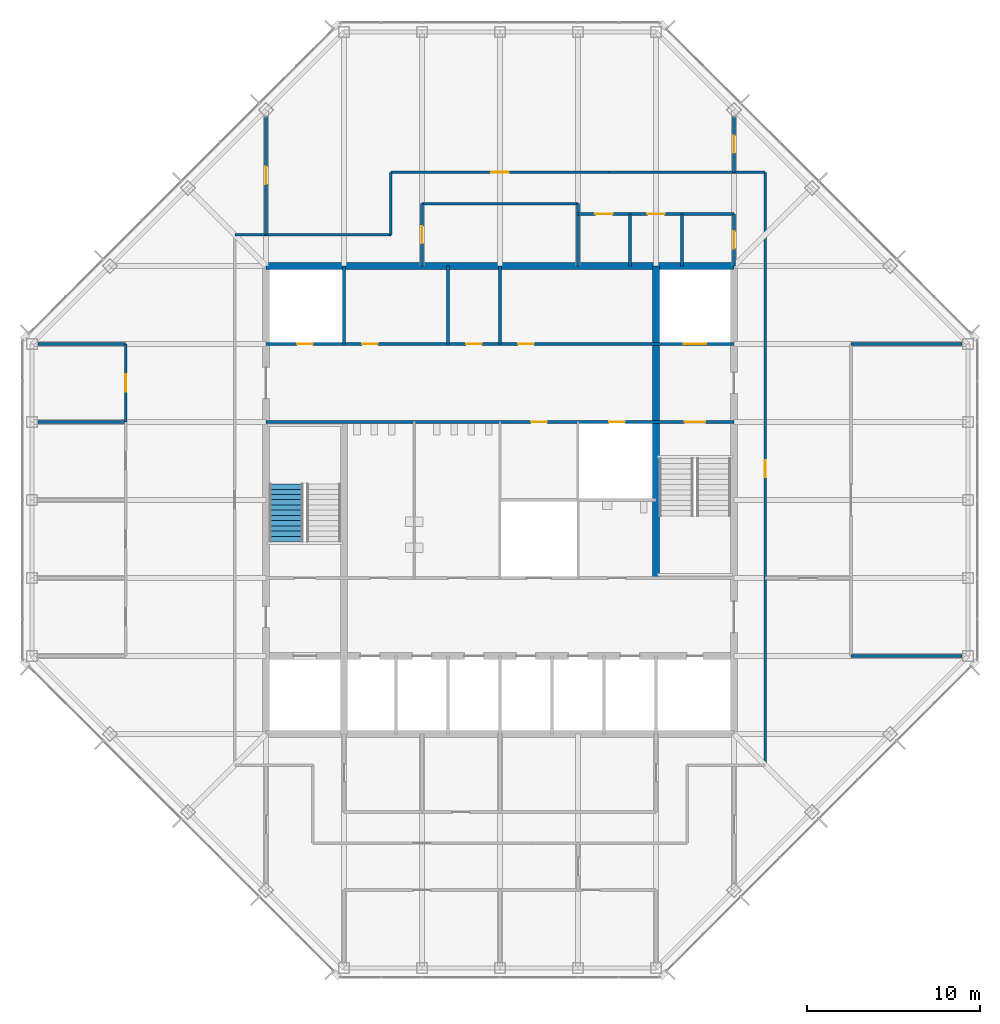
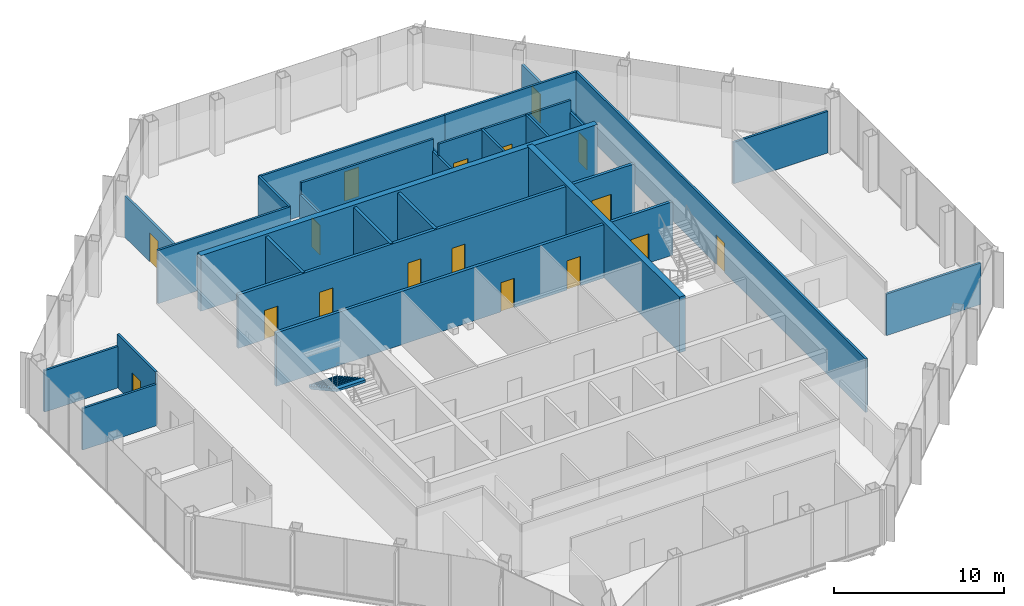
# One storey, part 11 of 14: 28 walls, 17 doors, 1 stair flight, 17 openings, 1 element without a shape of its own.
"""IFC4 building model written with IfcOpenShell, lengths in metres."""

from ifc_helpers import new_model, si_unit, direction, frame, frame_2d, origin, place, context, subcontext, project, spatial, polyline, rectangle, outline, extrude, material, layer, layer_set, type_object, element, fill, aggregate, save


model = new_model("IFC4")

# Units and contexts
model_context = context("Model", 3, precision=1e-05, world=origin(), true_north=direction((0.0, 1.0)))
body_context = subcontext(model_context, "Body", "Model", "MODEL_VIEW")
ifc_project = project(units=[si_unit("LENGTHUNIT", "METRE"), si_unit("AREAUNIT", "SQUARE_METRE"), si_unit("VOLUMEUNIT", "CUBIC_METRE"), si_unit("PLANEANGLEUNIT", "RADIAN"), si_unit("MASSUNIT", "GRAM", prefix="KILO")], contexts=[model_context])

# Site, building, storey
site_placement = place(None, origin())
site = spatial("IfcSite", under=ifc_project, at=site_placement, CompositionType="ELEMENT")
building_placement = place(site_placement, origin())
building = spatial("IfcBuilding", under=site, at=building_placement, Name="Corais Broadcast Tower", CompositionType="ELEMENT")
storey_placement = place(building_placement, frame((0.0, 0.0, 230.60009765625)))
storey = spatial("IfcBuildingStorey", under=building, at=storey_placement, Name="L53", CompositionType="ELEMENT", Elevation=230.60009765625)

# Wall
ifc_material_1 = material(Name="Concrete blockwork class A, grouted, two-hour", Category="masonry")
ifc_layer_1 = layer(ifc_material_1, 0.199951171875)
ifc_layer_set_1 = layer_set([ifc_layer_1], Name="Concrete blockwork class A, grouted, two-hour")
wall_type_1 = type_object("IfcWallType", Name="Core lobby wall 200", PredefinedType="SOLIDWALL", material=ifc_layer_set_1)
wall_1_placement = place(storey_placement, frame((18.0, 36.0, 0.0), z_axis=(0.0, 0.0, 1.0), x_axis=(0.0, 1.0, 0.0)))
element("IfcWall", 1, at=wall_1_placement, inside=storey, type_object=wall_type_1, Name="CL3 core shaft wall X18B L53", PredefinedType="SOLIDWALL", context=body_context, shape_type="SweptSolid", body=[
    extrude(rectangle(XDim=4.5, YDim=0.199951171875, at=frame_2d((2.25, 0.0))), origin(), (0.0, 0.0, 1.0), 3.83984375),
])

# Wall, openings, doors
wall_2_placement = place(storey_placement, frame((13.5, 31.5, 0.0), z_axis=(0.0, 0.0, 1.0), x_axis=(1.0, 0.0, 0.0)))
wall_2 = element("IfcWall", 2, at=wall_2_placement, inside=storey, type_object=wall_type_1, Name="CL3 core lobby wall Y315 L53", PredefinedType="SOLIDWALL", context=body_context, shape_type="SweptSolid", body=[
    extrude(rectangle(XDim=27.0, YDim=0.199951171875, at=frame_2d((13.5, 0.0))), origin(), (0.0, 0.0, 1.0), 3.83984375),
])
opening_1_placement = place(wall_2_placement, frame((24.14990234375, 0.0, 0.0)))
opening_1 = element("IfcOpeningElement", 3, at=opening_1_placement, cuts=wall_2, Name="Opening FD1", PredefinedType="OPENING", context=body_context, shape_type="SweptSolid", body=[
    extrude(rectangle(XDim=1.199951171875, YDim=2.10009765625, at=frame_2d((0.60009765625, 1.050048828125))), frame((0.0, 0.10986328125, 0.0), z_axis=(0.0, -1.0, 0.0), x_axis=(1.0, 0.0, 0.0)), (0.0, 0.0, 1.0), 0.219970703125),
])
opening_2_placement = place(wall_2_placement, frame((15.300048828125, 0.0, 0.0)))
opening_2 = element("IfcOpeningElement", 4, at=opening_2_placement, cuts=wall_2, Name="Opening RD1", PredefinedType="OPENING", context=body_context, shape_type="SweptSolid", body=[
    extrude(rectangle(XDim=0.89990234375, YDim=2.10009765625, at=frame_2d((0.449951171875, 1.050048828125))), frame((0.0, 0.10986328125, 0.0), z_axis=(0.0, -1.0, 0.0), x_axis=(1.0, 0.0, 0.0)), (0.0, 0.0, 1.0), 0.219970703125),
])
opening_3_placement = place(wall_2_placement, frame((19.800048828125, 0.0, 0.0)))
opening_3 = element("IfcOpeningElement", 5, at=opening_3_placement, cuts=wall_2, Name="Opening RD1", PredefinedType="OPENING", context=body_context, shape_type="SweptSolid", body=[
    extrude(rectangle(XDim=0.89990234375, YDim=2.10009765625, at=frame_2d((0.449951171875, 1.050048828125))), frame((0.0, 0.10986328125, 0.0), z_axis=(0.0, -1.0, 0.0), x_axis=(1.0, 0.0, 0.0)), (0.0, 0.0, 1.0), 0.219970703125),
])
ifc_material_2 = material(Name="Steel fire door", Category="steel")
door_type_1 = type_object("IfcDoorType", Name="Fire door 1200x2100", OperationType="SINGLE_SWING_LEFT", PredefinedType="DOOR", material=ifc_material_2)
door_1_placement = place(opening_1_placement, origin())
door_1 = element("IfcDoor", 6, at=door_1_placement, inside=storey, type_object=door_type_1, Name="FD1 stair B door L53", OperationType="SINGLE_SWING_RIGHT", OverallHeight=2.10009765625, OverallWidth=1.199951171875, PredefinedType="DOOR", context=body_context, shape_type="SweptSolid", body=[
    extrude(rectangle(XDim=1.199951171875, YDim=2.10009765625, at=frame_2d((0.60009765625, 1.050048828125))), frame((0.0, 0.02490234375, 0.0), z_axis=(0.0, -1.0, 0.0), x_axis=(1.0, 0.0, 0.0)), (0.0, 0.0, 1.0), 0.050048828125),
])
fill(opening_1, door_1)
ifc_material_3 = material(Name="Steel fire door", Category="steel")
door_type_2 = type_object("IfcDoorType", Name="Riser door 900x2100", OperationType="SINGLE_SWING_LEFT", PredefinedType="DOOR", material=ifc_material_3)
door_2_placement = place(opening_2_placement, origin())
door_2 = element("IfcDoor", 7, at=door_2_placement, inside=storey, type_object=door_type_2, Name="RD1 stationery store door L53", OperationType="SINGLE_SWING_RIGHT", OverallHeight=2.10009765625, OverallWidth=0.89990234375, PredefinedType="DOOR", context=body_context, shape_type="SweptSolid", body=[
    extrude(rectangle(XDim=0.89990234375, YDim=2.10009765625, at=frame_2d((0.449951171875, 1.050048828125))), frame((0.0, 0.02490234375, 0.0), z_axis=(0.0, -1.0, 0.0), x_axis=(1.0, 0.0, 0.0)), (0.0, 0.0, 1.0), 0.050048828125),
])
fill(opening_2, door_2)
door_3_placement = place(opening_3_placement, origin())
door_3 = element("IfcDoor", 8, at=door_3_placement, inside=storey, type_object=door_type_2, Name="RD1 riser door L53", OperationType="SINGLE_SWING_RIGHT", OverallHeight=2.10009765625, OverallWidth=0.89990234375, PredefinedType="DOOR", context=body_context, shape_type="SweptSolid", body=[
    extrude(rectangle(XDim=0.89990234375, YDim=2.10009765625, at=frame_2d((0.449951171875, 1.050048828125))), frame((0.0, 0.02490234375, 0.0), z_axis=(0.0, -1.0, 0.0), x_axis=(1.0, 0.0, 0.0)), (0.0, 0.0, 1.0), 0.050048828125),
])
fill(opening_3, door_3)

# Walls
ifc_material_4 = material(Name="Concrete C50/60", Category="concrete")
ifc_layer_2 = layer(ifc_material_4, 0.39990234375)
ifc_layer_set_2 = layer_set([ifc_layer_2], Name="Concrete C50/60")
wall_type_2 = type_object("IfcWallType", Name="Core wall 400", PredefinedType="SHEAR", material=ifc_layer_set_2)
wall_3_placement = place(storey_placement, frame((40.5, 40.5, 0.0), z_axis=(0.0, 0.0, 1.0), x_axis=(-1.0, 0.0, 0.0)))
element("IfcWall", 9, at=wall_3_placement, inside=storey, type_object=wall_type_2, Name="CR400 core wall N L53", PredefinedType="SHEAR", context=body_context, shape_type="SweptSolid", body=[
    extrude(rectangle(XDim=27.0, YDim=0.39990234375, at=frame_2d((13.5, 0.0))), origin(), (0.0, 0.0, 1.0), 4.0),
])
wall_4_placement = place(storey_placement, frame((36.0, 22.5, 0.0), z_axis=(0.0, 0.0, 1.0), x_axis=(0.0, 1.0, 0.0)))
element("IfcWall", 10, at=wall_4_placement, inside=storey, type_object=wall_type_2, Name="CR400 core wall X36B L53", PredefinedType="SHEAR", context=body_context, shape_type="SweptSolid", body=[
    extrude(rectangle(XDim=18.0, YDim=0.39990234375, at=frame_2d((9.0, 0.0))), origin(), (0.0, 0.0, 1.0), 4.0),
])

# Wall, openings, doors
ifc_material_5 = material(Name="Concrete blockwork class A, grouted, four-hour", Category="masonry")
ifc_layer_3 = layer(ifc_material_5, 0.199951171875)
ifc_layer_set_3 = layer_set([ifc_layer_3], Name="Concrete blockwork class A, grouted, four-hour")
wall_type_3 = type_object("IfcWallType", Name="Emergency lift shaft wall 200", PredefinedType="SOLIDWALL", material=ifc_layer_set_3)
wall_5_placement = place(storey_placement, frame((13.5, 36.0, 0.0), z_axis=(0.0, 0.0, 1.0), x_axis=(1.0, 0.0, 0.0)))
wall_5 = element("IfcWall", 11, at=wall_5_placement, inside=storey, type_object=wall_type_3, Name="LS3 core lobby wall Y36 L53", PredefinedType="SOLIDWALL", context=body_context, shape_type="SweptSolid", body=[
    extrude(rectangle(XDim=27.0, YDim=0.199951171875, at=frame_2d((13.5, 0.0))), origin(), (0.0, 0.0, 1.0), 3.83984375),
])
opening_4_placement = place(wall_5_placement, frame((1.800048828125, 0.0, 0.0)))
opening_4 = element("IfcOpeningElement", 12, at=opening_4_placement, cuts=wall_5, Name="Opening RD1", PredefinedType="OPENING", context=body_context, shape_type="SweptSolid", body=[
    extrude(rectangle(XDim=0.89990234375, YDim=2.10009765625, at=frame_2d((0.449951171875, 1.050048828125))), frame((0.0, 0.10986328125, 0.0), z_axis=(0.0, -1.0, 0.0), x_axis=(1.0, 0.0, 0.0)), (0.0, 0.0, 1.0), 0.219970703125),
])
opening_5_placement = place(wall_5_placement, frame((5.550048828125, 0.0, 0.0)))
opening_5 = element("IfcOpeningElement", 13, at=opening_5_placement, cuts=wall_5, Name="Opening RD1", PredefinedType="OPENING", context=body_context, shape_type="SweptSolid", body=[
    extrude(rectangle(XDim=0.89990234375, YDim=2.10009765625, at=frame_2d((0.449951171875, 1.050048828125))), frame((0.0, 0.10986328125, 0.0), z_axis=(0.0, -1.0, 0.0), x_axis=(1.0, 0.0, 0.0)), (0.0, 0.0, 1.0), 0.219970703125),
])
opening_6_placement = place(wall_5_placement, frame((11.550048828125, 0.0, 0.0)))
opening_6 = element("IfcOpeningElement", 14, at=opening_6_placement, cuts=wall_5, Name="Opening RD1", PredefinedType="OPENING", context=body_context, shape_type="SweptSolid", body=[
    extrude(rectangle(XDim=0.89990234375, YDim=2.10009765625, at=frame_2d((0.449951171875, 1.050048828125))), frame((0.0, 0.10986328125, 0.0), z_axis=(0.0, -1.0, 0.0), x_axis=(1.0, 0.0, 0.0)), (0.0, 0.0, 1.0), 0.219970703125),
])
opening_7_placement = place(wall_5_placement, frame((14.550048828125, 0.0, 0.0)))
opening_7 = element("IfcOpeningElement", 15, at=opening_7_placement, cuts=wall_5, Name="Opening RD1", PredefinedType="OPENING", context=body_context, shape_type="SweptSolid", body=[
    extrude(rectangle(XDim=0.89990234375, YDim=2.10009765625, at=frame_2d((0.449951171875, 1.050048828125))), frame((0.0, 0.10986328125, 0.0), z_axis=(0.0, -1.0, 0.0), x_axis=(1.0, 0.0, 0.0)), (0.0, 0.0, 1.0), 0.219970703125),
])
opening_8_placement = place(wall_5_placement, frame((24.10009765625, 0.0, 0.0)))
opening_8 = element("IfcOpeningElement", 16, at=opening_8_placement, cuts=wall_5, Name="Opening LD2", PredefinedType="OPENING", context=body_context, shape_type="SweptSolid", body=[
    extrude(rectangle(XDim=1.300048828125, YDim=2.199951171875, at=frame_2d((0.64990234375, 1.10009765625))), frame((0.0, 0.10986328125, 0.0), z_axis=(0.0, -1.0, 0.0), x_axis=(1.0, 0.0, 0.0)), (0.0, 0.0, 1.0), 0.219970703125),
])
ifc_material_6 = material(Name="Stainless steel lift door", Category="steel")
door_type_3 = type_object("IfcDoorType", Name="Lift landing door 1300x2200", OperationType="SLIDING_TO_LEFT", PredefinedType="DOOR", material=ifc_material_6)
door_4_placement = place(opening_8_placement, origin())
door_4 = element("IfcDoor", 17, at=door_4_placement, inside=storey, type_object=door_type_3, Name="LD2 FL2 landing door L53", OperationType="SLIDING_TO_LEFT", OverallHeight=2.199951171875, OverallWidth=1.300048828125, PredefinedType="DOOR", context=body_context, shape_type="SweptSolid", body=[
    extrude(rectangle(XDim=1.300048828125, YDim=2.199951171875, at=frame_2d((0.64990234375, 1.10009765625))), frame((0.0, 0.02490234375, 0.0), z_axis=(0.0, -1.0, 0.0), x_axis=(1.0, 0.0, 0.0)), (0.0, 0.0, 1.0), 0.050048828125),
])
fill(opening_8, door_4)
door_5_placement = place(opening_4_placement, origin())
door_5 = element("IfcDoor", 18, at=door_5_placement, inside=storey, type_object=door_type_2, Name="RD1 riser door L53", OperationType="SINGLE_SWING_LEFT", OverallHeight=2.10009765625, OverallWidth=0.89990234375, PredefinedType="DOOR", context=body_context, shape_type="SweptSolid", body=[
    extrude(rectangle(XDim=0.89990234375, YDim=2.10009765625, at=frame_2d((0.449951171875, 1.050048828125))), frame((0.0, 0.02490234375, 0.0), z_axis=(0.0, -1.0, 0.0), x_axis=(1.0, 0.0, 0.0)), (0.0, 0.0, 1.0), 0.050048828125),
])
fill(opening_4, door_5)
door_6_placement = place(opening_5_placement, origin())
door_6 = element("IfcDoor", 19, at=door_6_placement, inside=storey, type_object=door_type_2, Name="RD1 vending room door L53", OperationType="SINGLE_SWING_LEFT", OverallHeight=2.10009765625, OverallWidth=0.89990234375, PredefinedType="DOOR", context=body_context, shape_type="SweptSolid", body=[
    extrude(rectangle(XDim=0.89990234375, YDim=2.10009765625, at=frame_2d((0.449951171875, 1.050048828125))), frame((0.0, 0.02490234375, 0.0), z_axis=(0.0, -1.0, 0.0), x_axis=(1.0, 0.0, 0.0)), (0.0, 0.0, 1.0), 0.050048828125),
])
fill(opening_5, door_6)
door_7_placement = place(opening_6_placement, origin())
door_7 = element("IfcDoor", 20, at=door_7_placement, inside=storey, type_object=door_type_2, Name="RD1 av equipment room door L53", OperationType="SINGLE_SWING_LEFT", OverallHeight=2.10009765625, OverallWidth=0.89990234375, PredefinedType="DOOR", context=body_context, shape_type="SweptSolid", body=[
    extrude(rectangle(XDim=0.89990234375, YDim=2.10009765625, at=frame_2d((0.449951171875, 1.050048828125))), frame((0.0, 0.02490234375, 0.0), z_axis=(0.0, -1.0, 0.0), x_axis=(1.0, 0.0, 0.0)), (0.0, 0.0, 1.0), 0.050048828125),
])
fill(opening_6, door_7)
door_8_placement = place(opening_7_placement, origin())
door_8 = element("IfcDoor", 21, at=door_8_placement, inside=storey, type_object=door_type_2, Name="RD1 media store door L53", OperationType="SINGLE_SWING_RIGHT", OverallHeight=2.10009765625, OverallWidth=0.89990234375, PredefinedType="DOOR", context=body_context, shape_type="SweptSolid", body=[
    extrude(rectangle(XDim=0.89990234375, YDim=2.10009765625, at=frame_2d((0.449951171875, 1.050048828125))), frame((0.0, 0.02490234375, 0.0), z_axis=(0.0, -1.0, 0.0), x_axis=(1.0, 0.0, 0.0)), (0.0, 0.0, 1.0), 0.050048828125),
])
fill(opening_7, door_8)

# Wall, opening, door
ifc_material_7 = material(Name="Gypsum board on steel studs", Category="steel")
ifc_layer_4 = layer(ifc_material_7, 0.14990234375)
ifc_layer_set_4 = layer_set([ifc_layer_4], Name="Gypsum board on steel studs")
wall_type_4 = type_object("IfcWallType", Name="Partition 150", PredefinedType="PARTITIONING", material=ifc_layer_set_4)
wall_6_placement = place(storey_placement, frame((42.300048828125, 11.699951171875, 0.0), z_axis=(0.0, 0.0, 1.0), x_axis=(0.0, 1.0, 0.0)))
wall_6 = element("IfcWall", 22, at=wall_6_placement, inside=storey, type_object=wall_type_4, Name="IW3 corridor wall L53", PredefinedType="PARTITIONING", context=body_context, shape_type="SweptSolid", body=[
    extrude(rectangle(XDim=34.199951171875, YDim=0.14990234375, at=frame_2d((17.10009765625, 0.0))), origin(), (0.0, 0.0, 1.0), 3.83984375),
])
opening_9_placement = place(wall_6_placement, frame((16.60009765625, 0.0, 0.0)))
opening_9 = element("IfcOpeningElement", 23, at=opening_9_placement, cuts=wall_6, Name="Opening D1", PredefinedType="OPENING", context=body_context, shape_type="SweptSolid", body=[
    extrude(rectangle(XDim=1.0, YDim=2.10009765625, at=frame_2d((0.5, 1.050048828125))), frame((0.0, 0.0849609375, 0.0), z_axis=(0.0, -1.0, 0.0), x_axis=(1.0, 0.0, 0.0)), (0.0, 0.0, 1.0), 0.169921875),
])
ifc_material_8 = material(Name="Timber door", Category="wood")
door_type_4 = type_object("IfcDoorType", Name="Single door 1000x2100", OperationType="SINGLE_SWING_LEFT", PredefinedType="DOOR", material=ifc_material_8)
door_9_placement = place(opening_9_placement, origin())
door_9 = element("IfcDoor", 24, at=door_9_placement, inside=storey, type_object=door_type_4, Name="D1 workplace door L53", OperationType="SINGLE_SWING_LEFT", OverallHeight=2.10009765625, OverallWidth=1.0, PredefinedType="DOOR", context=body_context, shape_type="SweptSolid", body=[
    extrude(rectangle(XDim=1.0, YDim=2.10009765625, at=frame_2d((0.5, 1.050048828125))), frame((0.0, 0.02490234375, 0.0), z_axis=(0.0, -1.0, 0.0), x_axis=(1.0, 0.0, 0.0)), (0.0, 0.0, 1.0), 0.050048828125),
])
fill(opening_9, door_9)

wall_7_placement = place(storey_placement, frame((33.300048828125, 45.89990234375, 0.0), z_axis=(0.0, 0.0, 1.0), x_axis=(-1.0, 0.0, 0.0)))
wall_7 = element("IfcWall", 25, at=wall_7_placement, inside=storey, type_object=wall_type_4, Name="IW3 corridor wall L53", PredefinedType="PARTITIONING", context=body_context, shape_type="SweptSolid", body=[
    extrude(rectangle(XDim=12.60009765625, YDim=0.14990234375, at=frame_2d((6.300048828125, 0.0))), origin(), (0.0, 0.0, 1.0), 3.83984375),
])
opening_10_placement = place(wall_7_placement, frame((5.800048828125, 0.0, 0.0)))
opening_10 = element("IfcOpeningElement", 26, at=opening_10_placement, cuts=wall_7, Name="Opening D1", PredefinedType="OPENING", context=body_context, shape_type="SweptSolid", body=[
    extrude(rectangle(XDim=1.0, YDim=2.10009765625, at=frame_2d((0.5, 1.050048828125))), frame((0.0, 0.0849609375, 0.0), z_axis=(0.0, -1.0, 0.0), x_axis=(1.0, 0.0, 0.0)), (0.0, 0.0, 1.0), 0.169921875),
])
door_10_placement = place(opening_10_placement, origin())
door_10 = element("IfcDoor", 27, at=door_10_placement, inside=storey, type_object=door_type_4, Name="D1 workplace door L53", OperationType="SINGLE_SWING_LEFT", OverallHeight=2.10009765625, OverallWidth=1.0, PredefinedType="DOOR", context=body_context, shape_type="SweptSolid", body=[
    extrude(rectangle(XDim=1.0, YDim=2.10009765625, at=frame_2d((0.5, 1.050048828125))), frame((0.0, 0.02490234375, 0.0), z_axis=(0.0, -1.0, 0.0), x_axis=(1.0, 0.0, 0.0)), (0.0, 0.0, 1.0), 0.050048828125),
])
fill(opening_10, door_10)

# Walls
for number, where, z_axis, x_axis, name in (
    (28, (20.699951171875, 42.300048828125, 0.0), (0.0, 0.0, 1.0), (-1.0, 0.0, 0.0), "IW3 corridor wall L53"),
    (29, (42.300048828125, 45.89990234375, 0.0), (0.0, 0.0, 1.0), (-1.0, 0.0, 0.0), "IW3 corridor wall L53"),
):
    element("IfcWall", number, at=place(storey_placement, frame(where, z_axis=z_axis, x_axis=x_axis)), inside=storey, type_object=wall_type_4, Name=name, PredefinedType="PARTITIONING", context=body_context, shape_type="SweptSolid", body=[
        extrude(rectangle(XDim=9.0, YDim=0.14990234375, at=frame_2d((4.5, 0.0))), origin(), (0.0, 0.0, 1.0), 3.83984375),
    ])
wall_8_placement = place(storey_placement, frame((20.699951171875, 45.89990234375, 0.0), z_axis=(0.0, 0.0, 1.0), x_axis=(0.0, -1.0, 0.0)))
element("IfcWall", 30, at=wall_8_placement, inside=storey, type_object=wall_type_4, Name="IW3 corridor wall L53", PredefinedType="PARTITIONING", context=body_context, shape_type="SweptSolid", body=[
    extrude(rectangle(XDim=3.599853515625, YDim=0.14990234375, at=frame_2d((1.7998046875, 0.0))), origin(), (0.0, 0.0, 1.0), 3.83984375),
])
for number, where, z_axis, x_axis, name in (
    (31, (47.25, 18.0, 0.0), (0.0, 0.0, 1.0), (1.0, 0.0, 0.0), "IW3 partition L53"),
    (32, (53.6650390625, 36.0, 0.0), (0.0, 0.0, 1.0), (-1.0, 0.0, 0.0), "IW3 partition L53"),
):
    element("IfcWall", number, at=place(storey_placement, frame(where, z_axis=z_axis, x_axis=x_axis)), inside=storey, type_object=wall_type_4, Name=name, PredefinedType="PARTITIONING", context=body_context, shape_type="SweptSolid", body=[
        extrude(rectangle(XDim=6.4150390625, YDim=0.14990234375, at=frame_2d((3.20751953125, 0.0))), origin(), (0.0, 0.0, 1.0), 2.989013671875),
    ])
wall_9_placement = place(storey_placement, frame((31.5, 40.5, 0.0), z_axis=(0.0, 0.0, 1.0), x_axis=(0.0, 1.0, 0.0)))
element("IfcWall", 33, at=wall_9_placement, inside=storey, type_object=wall_type_4, Name="IW3 partition L53", PredefinedType="PARTITIONING", context=body_context, shape_type="SweptSolid", body=[
    extrude(rectangle(XDim=3.60009765625, YDim=0.14990234375, at=frame_2d((1.800048828125, 0.0))), origin(), (0.0, 0.0, 1.0), 2.989013671875),
])
wall_10_placement = place(storey_placement, frame((31.5, 44.10009765625, 0.0), z_axis=(0.0, 0.0, 1.0), x_axis=(-1.0, 0.0, 0.0)))
element("IfcWall", 34, at=wall_10_placement, inside=storey, type_object=wall_type_4, Name="IW3 partition L53", PredefinedType="PARTITIONING", context=body_context, shape_type="SweptSolid", body=[
    extrude(rectangle(XDim=9.0, YDim=0.14990234375, at=frame_2d((4.5, 0.0))), origin(), (0.0, 0.0, 1.0), 3.83984375),
])

# Wall, opening, door
wall_11_placement = place(storey_placement, frame((22.5, 44.10009765625, 0.0), z_axis=(0.0, 0.0, 1.0), x_axis=(0.0, -1.0, 0.0)))
wall_11 = element("IfcWall", 35, at=wall_11_placement, inside=storey, type_object=wall_type_4, Name="IW3 partition L53", PredefinedType="PARTITIONING", context=body_context, shape_type="SweptSolid", body=[
    extrude(rectangle(XDim=3.60009765625, YDim=0.14990234375, at=frame_2d((1.800048828125, 0.0))), origin(), (0.0, 0.0, 1.0), 2.989013671875),
])
opening_11_placement = place(wall_11_placement, frame((1.300048828125, 0.0, 0.0)))
opening_11 = element("IfcOpeningElement", 36, at=opening_11_placement, cuts=wall_11, Name="Opening D1", PredefinedType="OPENING", context=body_context, shape_type="SweptSolid", body=[
    extrude(rectangle(XDim=1.0, YDim=2.10009765625, at=frame_2d((0.5, 1.050048828125))), frame((0.0, 0.0849609375, 0.0), z_axis=(0.0, -1.0, 0.0), x_axis=(1.0, 0.0, 0.0)), (0.0, 0.0, 1.0), 0.169921875),
])
door_11_placement = place(opening_11_placement, origin())
door_11 = element("IfcDoor", 37, at=door_11_placement, inside=storey, type_object=door_type_4, Name="D1 Pantry door", OperationType="SINGLE_SWING_LEFT", OverallHeight=2.10009765625, OverallWidth=1.0, PredefinedType="DOOR", context=body_context, shape_type="SweptSolid", body=[
    extrude(rectangle(XDim=1.0, YDim=2.10009765625, at=frame_2d((0.5, 1.050048828125))), frame((0.0, 0.02490234375, 0.0), z_axis=(0.0, -1.0, 0.0), x_axis=(1.0, 0.0, 0.0)), (0.0, 0.0, 1.0), 0.050048828125),
])
fill(opening_11, door_11)

# Wall
wall_12_placement = place(storey_placement, frame((5.39990234375, 31.5, 0.0), z_axis=(0.0, 0.0, 1.0), x_axis=(-1.0, 0.0, 0.0)))
element("IfcWall", 38, at=wall_12_placement, inside=storey, type_object=wall_type_4, Name="IW3 partition L53", PredefinedType="PARTITIONING", context=body_context, shape_type="SweptSolid", body=[
    extrude(rectangle(XDim=5.06494140625, YDim=0.14990234375, at=frame_2d((2.532470703125, 0.0))), origin(), (0.0, 0.0, 1.0), 2.989013671875),
])

# Wall, opening, door
wall_13_placement = place(storey_placement, frame((5.39990234375, 31.5, 0.0), z_axis=(0.0, 0.0, 1.0), x_axis=(0.0, 1.0, 0.0)))
wall_13 = element("IfcWall", 39, at=wall_13_placement, inside=storey, type_object=wall_type_4, Name="IW3 partition L53", PredefinedType="PARTITIONING", context=body_context, shape_type="SweptSolid", body=[
    extrude(rectangle(XDim=4.5, YDim=0.14990234375, at=frame_2d((2.25, 0.0))), origin(), (0.0, 0.0, 1.0), 3.83984375),
])
opening_12_placement = place(wall_13_placement, frame((1.75, 0.0, 0.0)))
opening_12 = element("IfcOpeningElement", 40, at=opening_12_placement, cuts=wall_13, Name="Opening D1", PredefinedType="OPENING", context=body_context, shape_type="SweptSolid", body=[
    extrude(rectangle(XDim=1.0, YDim=2.10009765625, at=frame_2d((0.5, 1.050048828125))), frame((0.0, 0.0849609375, 0.0), z_axis=(0.0, -1.0, 0.0), x_axis=(1.0, 0.0, 0.0)), (0.0, 0.0, 1.0), 0.169921875),
])
door_12_placement = place(opening_12_placement, origin())
door_12 = element("IfcDoor", 41, at=door_12_placement, inside=storey, type_object=door_type_4, Name="D1 Focus room door", OperationType="SINGLE_SWING_LEFT", OverallHeight=2.10009765625, OverallWidth=1.0, PredefinedType="DOOR", context=body_context, shape_type="SweptSolid", body=[
    extrude(rectangle(XDim=1.0, YDim=2.10009765625, at=frame_2d((0.5, 1.050048828125))), frame((0.0, 0.02490234375, 0.0), z_axis=(0.0, -1.0, 0.0), x_axis=(1.0, 0.0, 0.0)), (0.0, 0.0, 1.0), 0.050048828125),
])
fill(opening_12, door_12)

# Walls
wall_14_placement = place(storey_placement, frame((5.39990234375, 36.0, 0.0), z_axis=(0.0, 0.0, 1.0), x_axis=(-1.0, 0.0, 0.0)))
element("IfcWall", 42, at=wall_14_placement, inside=storey, type_object=wall_type_4, Name="IW3 partition L53", PredefinedType="PARTITIONING", context=body_context, shape_type="SweptSolid", body=[
    extrude(rectangle(XDim=5.06494140625, YDim=0.14990234375, at=frame_2d((2.532470703125, 0.0))), origin(), (0.0, 0.0, 1.0), 2.989013671875),
])
wall_15_placement = place(storey_placement, frame((34.5, 40.5, 0.0), z_axis=(0.0, 0.0, 1.0), x_axis=(0.0, 1.0, 0.0)))
element("IfcWall", 43, at=wall_15_placement, inside=storey, type_object=wall_type_4, Name="IW3 partition L53", PredefinedType="PARTITIONING", context=body_context, shape_type="SweptSolid", body=[
    extrude(rectangle(XDim=3.0, YDim=0.14990234375, at=frame_2d((1.5, 0.0))), origin(), (0.0, 0.0, 1.0), 3.83984375),
])

# Wall, opening, door
wall_16_placement = place(storey_placement, frame((34.5, 43.5, 0.0), z_axis=(0.0, 0.0, 1.0), x_axis=(-1.0, 0.0, 0.0)))
wall_16 = element("IfcWall", 44, at=wall_16_placement, inside=storey, type_object=wall_type_4, Name="IW3 partition L53", PredefinedType="PARTITIONING", context=body_context, shape_type="SweptSolid", body=[
    extrude(rectangle(XDim=3.0, YDim=0.14990234375, at=frame_2d((1.5, 0.0))), origin(), (0.0, 0.0, 1.0), 3.83984375),
])
opening_13_placement = place(wall_16_placement, frame((1.0, 0.0, 0.0)))
opening_13 = element("IfcOpeningElement", 45, at=opening_13_placement, cuts=wall_16, Name="Opening D1", PredefinedType="OPENING", context=body_context, shape_type="SweptSolid", body=[
    extrude(rectangle(XDim=1.0, YDim=2.10009765625, at=frame_2d((0.5, 1.050048828125))), frame((0.0, 0.0849609375, 0.0), z_axis=(0.0, -1.0, 0.0), x_axis=(1.0, 0.0, 0.0)), (0.0, 0.0, 1.0), 0.169921875),
])
door_13_placement = place(opening_13_placement, origin())
door_13 = element("IfcDoor", 46, at=door_13_placement, inside=storey, type_object=door_type_4, Name="D1 Quiet room door", OperationType="SINGLE_SWING_LEFT", OverallHeight=2.10009765625, OverallWidth=1.0, PredefinedType="DOOR", context=body_context, shape_type="SweptSolid", body=[
    extrude(rectangle(XDim=1.0, YDim=2.10009765625, at=frame_2d((0.5, 1.050048828125))), frame((0.0, 0.02490234375, 0.0), z_axis=(0.0, -1.0, 0.0), x_axis=(1.0, 0.0, 0.0)), (0.0, 0.0, 1.0), 0.050048828125),
])
fill(opening_13, door_13)

# Wall
wall_17_placement = place(storey_placement, frame((37.5, 40.5, 0.0), z_axis=(0.0, 0.0, 1.0), x_axis=(0.0, 1.0, 0.0)))
element("IfcWall", 47, at=wall_17_placement, inside=storey, type_object=wall_type_4, Name="IW3 partition L53", PredefinedType="PARTITIONING", context=body_context, shape_type="SweptSolid", body=[
    extrude(rectangle(XDim=3.0, YDim=0.14990234375, at=frame_2d((1.5, 0.0))), origin(), (0.0, 0.0, 1.0), 3.83984375),
])

# Wall, opening, door
wall_18_placement = place(storey_placement, frame((37.5, 43.5, 0.0), z_axis=(0.0, 0.0, 1.0), x_axis=(-1.0, 0.0, 0.0)))
wall_18 = element("IfcWall", 48, at=wall_18_placement, inside=storey, type_object=wall_type_4, Name="IW3 partition L53", PredefinedType="PARTITIONING", context=body_context, shape_type="SweptSolid", body=[
    extrude(rectangle(XDim=3.0, YDim=0.14990234375, at=frame_2d((1.5, 0.0))), origin(), (0.0, 0.0, 1.0), 3.83984375),
])
opening_14_placement = place(wall_18_placement, frame((1.0, 0.0, 0.0)))
opening_14 = element("IfcOpeningElement", 49, at=opening_14_placement, cuts=wall_18, Name="Opening D1", PredefinedType="OPENING", context=body_context, shape_type="SweptSolid", body=[
    extrude(rectangle(XDim=1.0, YDim=2.10009765625, at=frame_2d((0.5, 1.050048828125))), frame((0.0, 0.0849609375, 0.0), z_axis=(0.0, -1.0, 0.0), x_axis=(1.0, 0.0, 0.0)), (0.0, 0.0, 1.0), 0.169921875),
])
door_14_placement = place(opening_14_placement, origin())
door_14 = element("IfcDoor", 50, at=door_14_placement, inside=storey, type_object=door_type_4, Name="D1 Quiet room door", OperationType="SINGLE_SWING_LEFT", OverallHeight=2.10009765625, OverallWidth=1.0, PredefinedType="DOOR", context=body_context, shape_type="SweptSolid", body=[
    extrude(rectangle(XDim=1.0, YDim=2.10009765625, at=frame_2d((0.5, 1.050048828125))), frame((0.0, 0.02490234375, 0.0), z_axis=(0.0, -1.0, 0.0), x_axis=(1.0, 0.0, 0.0)), (0.0, 0.0, 1.0), 0.050048828125),
])
fill(opening_14, door_14)

wall_19_placement = place(storey_placement, frame((40.5, 40.5, 0.0), z_axis=(0.0, 0.0, 1.0), x_axis=(0.0, 1.0, 0.0)))
wall_19 = element("IfcWall", 51, at=wall_19_placement, inside=storey, type_object=wall_type_4, Name="IW3 partition L53", PredefinedType="PARTITIONING", context=body_context, shape_type="SweptSolid", body=[
    extrude(rectangle(XDim=3.0, YDim=0.14990234375, at=frame_2d((1.5, 0.0))), origin(), (0.0, 0.0, 1.0), 2.989013671875),
])
opening_15_placement = place(wall_19_placement, frame((1.0, 0.0, 0.0)))
opening_15 = element("IfcOpeningElement", 52, at=opening_15_placement, cuts=wall_19, Name="Opening D1", PredefinedType="OPENING", context=body_context, shape_type="SweptSolid", body=[
    extrude(rectangle(XDim=1.0, YDim=2.10009765625, at=frame_2d((0.5, 1.050048828125))), frame((0.0, 0.0849609375, 0.0), z_axis=(0.0, -1.0, 0.0), x_axis=(1.0, 0.0, 0.0)), (0.0, 0.0, 1.0), 0.169921875),
])
door_15_placement = place(opening_15_placement, origin())
door_15 = element("IfcDoor", 53, at=door_15_placement, inside=storey, type_object=door_type_4, Name="D1 Quiet room door", OperationType="SINGLE_SWING_LEFT", OverallHeight=2.10009765625, OverallWidth=1.0, PredefinedType="DOOR", context=body_context, shape_type="SweptSolid", body=[
    extrude(rectangle(XDim=1.0, YDim=2.10009765625, at=frame_2d((0.5, 1.050048828125))), frame((0.0, 0.02490234375, 0.0), z_axis=(0.0, -1.0, 0.0), x_axis=(1.0, 0.0, 0.0)), (0.0, 0.0, 1.0), 0.050048828125),
])
fill(opening_15, door_15)

# Wall
wall_20_placement = place(storey_placement, frame((40.5, 43.5, 0.0), z_axis=(0.0, 0.0, 1.0), x_axis=(-1.0, 0.0, 0.0)))
element("IfcWall", 54, at=wall_20_placement, inside=storey, type_object=wall_type_4, Name="IW3 partition L53", PredefinedType="PARTITIONING", context=body_context, shape_type="SweptSolid", body=[
    extrude(rectangle(XDim=3.0, YDim=0.14990234375, at=frame_2d((1.5, 0.0))), origin(), (0.0, 0.0, 1.0), 3.83984375),
])

# Wall, opening, door
wall_21_placement = place(storey_placement, frame((40.5, 49.155029296875, 0.0), z_axis=(0.0, 0.0, 1.0), x_axis=(0.0, -1.0, 0.0)))
wall_21 = element("IfcWall", 55, at=wall_21_placement, inside=storey, type_object=wall_type_4, Name="IW3 partition L53", PredefinedType="PARTITIONING", context=body_context, shape_type="SweptSolid", body=[
    extrude(rectangle(XDim=3.255126953125, YDim=0.14990234375, at=frame_2d((1.62744140625, 0.0))), origin(), (0.0, 0.0, 1.0), 2.989013671875),
])
opening_16_placement = place(wall_21_placement, frame((1.12744140625, 0.0, 0.0)))
opening_16 = element("IfcOpeningElement", 56, at=opening_16_placement, cuts=wall_21, Name="Opening D1", PredefinedType="OPENING", context=body_context, shape_type="SweptSolid", body=[
    extrude(rectangle(XDim=1.0, YDim=2.10009765625, at=frame_2d((0.5, 1.050048828125))), frame((0.0, 0.0849609375, 0.0), z_axis=(0.0, -1.0, 0.0), x_axis=(1.0, 0.0, 0.0)), (0.0, 0.0, 1.0), 0.169921875),
])
door_16_placement = place(opening_16_placement, origin())
door_16 = element("IfcDoor", 57, at=door_16_placement, inside=storey, type_object=door_type_4, Name="D1 team room door L53", OperationType="SINGLE_SWING_LEFT", OverallHeight=2.10009765625, OverallWidth=1.0, PredefinedType="DOOR", context=body_context, shape_type="SweptSolid", body=[
    extrude(rectangle(XDim=1.0, YDim=2.10009765625, at=frame_2d((0.5, 1.050048828125))), frame((0.0, 0.02490234375, 0.0), z_axis=(0.0, -1.0, 0.0), x_axis=(1.0, 0.0, 0.0)), (0.0, 0.0, 1.0), 0.050048828125),
])
fill(opening_16, door_16)

wall_22_placement = place(storey_placement, frame((13.5, 42.300048828125, 0.0), z_axis=(0.0, 0.0, 1.0), x_axis=(0.0, 1.0, 0.0)))
wall_22 = element("IfcWall", 58, at=wall_22_placement, inside=storey, type_object=wall_type_4, Name="IW3 partition L53", PredefinedType="PARTITIONING", context=body_context, shape_type="SweptSolid", body=[
    extrude(rectangle(XDim=6.85498046875, YDim=0.14990234375, at=frame_2d((3.427490234375, 0.0))), origin(), (0.0, 0.0, 1.0), 2.989013671875),
])
opening_17_placement = place(wall_22_placement, frame((2.927490234375, 0.0, 0.0)))
opening_17 = element("IfcOpeningElement", 59, at=opening_17_placement, cuts=wall_22, Name="Opening D1", PredefinedType="OPENING", context=body_context, shape_type="SweptSolid", body=[
    extrude(rectangle(XDim=1.0, YDim=2.10009765625, at=frame_2d((0.5, 1.050048828125))), frame((0.0, 0.0849609375, 0.0), z_axis=(0.0, -1.0, 0.0), x_axis=(1.0, 0.0, 0.0)), (0.0, 0.0, 1.0), 0.169921875),
])
door_17_placement = place(opening_17_placement, origin())
door_17 = element("IfcDoor", 60, at=door_17_placement, inside=storey, type_object=door_type_4, Name="D1 team room door L53", OperationType="SINGLE_SWING_LEFT", OverallHeight=2.10009765625, OverallWidth=1.0, PredefinedType="DOOR", context=body_context, shape_type="SweptSolid", body=[
    extrude(rectangle(XDim=1.0, YDim=2.10009765625, at=frame_2d((0.5, 1.050048828125))), frame((0.0, 0.02490234375, 0.0), z_axis=(0.0, -1.0, 0.0), x_axis=(1.0, 0.0, 0.0)), (0.0, 0.0, 1.0), 0.050048828125),
])
fill(opening_17, door_17)

# Walls
ifc_material_9 = material(Name="Concrete blockwork class A, grouted, two-hour", Category="masonry")
ifc_layer_5 = layer(ifc_material_9, 0.199951171875)
ifc_layer_set_5 = layer_set([ifc_layer_5], Name="Concrete blockwork class A, grouted, two-hour")
wall_type_5 = type_object("IfcWallType", Name="Shaft wall 200", PredefinedType="PARTITIONING", material=ifc_layer_set_5)
for number, where, z_axis, x_axis, name in (
    (61, (24.0, 36.0, 0.0), (0.0, 0.0, 1.0), (0.0, 1.0, 0.0), "IW1 shaft wall L53"),
    (62, (27.0, 36.0, 0.0), (0.0, 0.0, 1.0), (0.0, 1.0, 0.0), "IW1 shaft wall L53"),
):
    element("IfcWall", number, at=place(storey_placement, frame(where, z_axis=z_axis, x_axis=x_axis)), inside=storey, type_object=wall_type_5, Name=name, PredefinedType="PARTITIONING", context=body_context, shape_type="SweptSolid", body=[
        extrude(rectangle(XDim=4.5, YDim=0.199951171875, at=frame_2d((2.25, 0.0))), origin(), (0.0, 0.0, 1.0), 3.83984375),
    ])

# Stair, stair flight
ifc_material_10 = material(Name="Concrete C30/37", Category="concrete")
stair_type = type_object("IfcStairType", Name="Half-turn stair 4000", PredefinedType="HALF_TURN_STAIR", material=ifc_material_10)
stair_placement = place(storey_placement, origin())
stair = element("IfcStair", 63, at=stair_placement, inside=storey, type_object=stair_type, Name="Stair A L53", PredefinedType="HALF_TURN_STAIR")
ifc_material_11 = material(Name="Concrete C30/37", Category="concrete")
stair_flight_type = type_object("IfcStairFlightType", Name="Stair flight 4000", PredefinedType="STRAIGHT", material=ifc_material_11)
stair_flight_placement = place(storey_placement, frame((14.675048828125, 27.922119140625, 2.0), z_axis=(0.0, 0.0, 1.0), x_axis=(0.0, -1.0, 0.0)))
stair_flight = element("IfcStairFlight", 64, at=stair_flight_placement, type_object=stair_flight_type, Name="STA flight 2", NumberOfRisers=12, NumberOfTreads=11, PredefinedType="STRAIGHT", RiserHeight=0.166666667, TreadLength=0.302, context=body_context, shape_type="SweptSolid", body=[
    extrude(outline(polyline([(0.0, 0.0), (0.0, 0.166748046875), (0.302001953125, 0.166748046875), (0.302001953125, 0.333251953125), (0.60400390625, 0.333251953125), (0.60400390625, 0.5), (0.906005859375, 0.5), (0.906005859375, 0.666748046875), (1.2080078125, 0.666748046875), (1.2080078125, 0.833251953125), (1.510009765625, 0.833251953125), (1.510009765625, 1.0), (1.81201171875, 1.0), (1.81201171875, 1.166748046875), (2.114013671875, 1.166748046875), (2.114013671875, 1.333251953125), (2.416015625, 1.333251953125), (2.416015625, 1.5), (2.718017578125, 1.5), (2.718017578125, 1.666748046875), (3.02001953125, 1.666748046875), (3.02001953125, 1.833251953125), (3.322021484375, 1.833251953125), (3.322021484375, 2.0), (3.322021484375, 1.662109375), (0.310302734375, 0.0), (0.0, 0.0)])), frame((0.0, 0.97509765625, 0.0), z_axis=(0.0, -1.0, 0.0), x_axis=(1.0, 0.0, 0.0)), (0.0, 0.0, 1.0), 1.949951171875),
])
aggregate(stair, [stair_flight])

save(model, "model.ifc")
